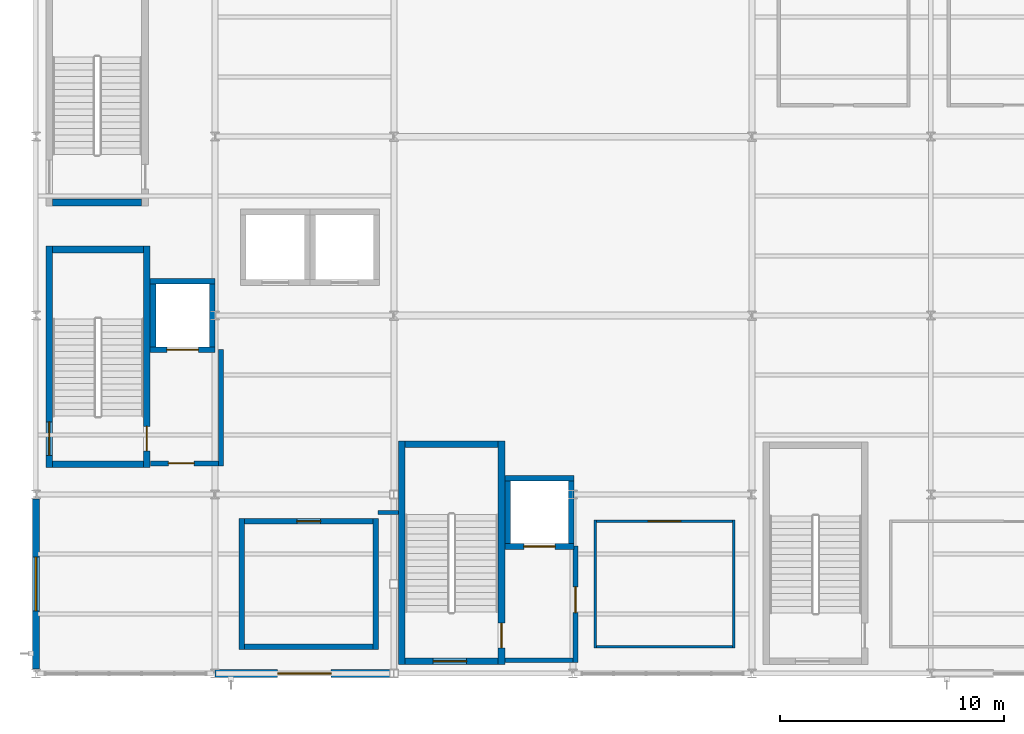
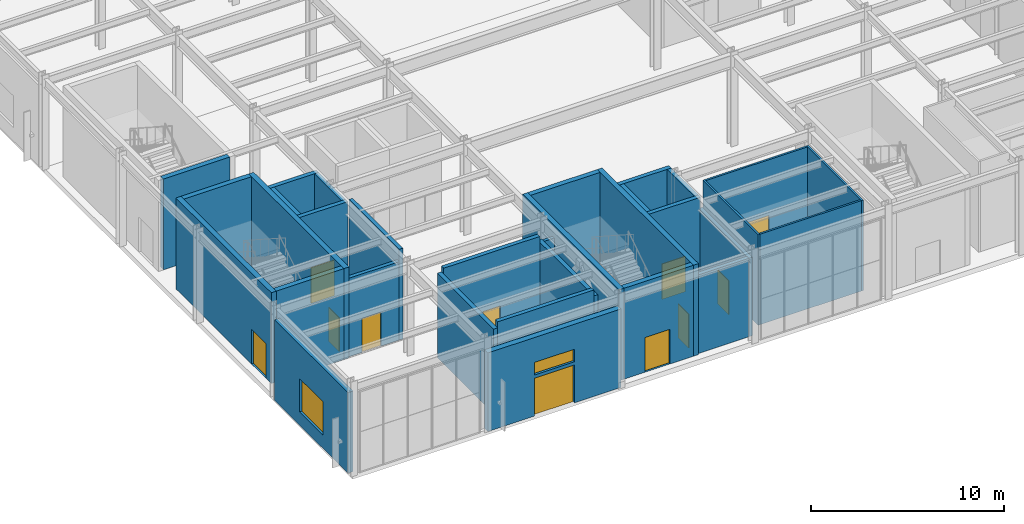
# One storey, part 58 of 82: 32 walls, 11 doors, 2 windows, 13 openings.
"""IFC4 building model written with IfcOpenShell, lengths in metres."""

from ifc_helpers import new_model, si_unit, direction, frame, frame_2d, origin, place, context, subcontext, project, spatial, rectangle, extrude, material, layer, layer_set, type_object, element, fill, save


model = new_model("IFC4")

# Units and contexts
model_context = context("Model", 3, precision=1e-05, world=origin(), true_north=direction((0.0, 1.0)))
body_context = subcontext(model_context, "Body", "Model", "MODEL_VIEW")
ifc_project = project(units=[si_unit("LENGTHUNIT", "METRE"), si_unit("AREAUNIT", "SQUARE_METRE"), si_unit("VOLUMEUNIT", "CUBIC_METRE"), si_unit("PLANEANGLEUNIT", "RADIAN"), si_unit("MASSUNIT", "GRAM", prefix="KILO")], contexts=[model_context])

# Site, building, storey
site_placement = place(None, origin())
site = spatial("IfcSite", under=ifc_project, at=site_placement, CompositionType="ELEMENT")
building_placement = place(site_placement, origin())
building = spatial("IfcBuilding", under=site, at=building_placement, Name="Drelvath Fold Interchange", CompositionType="ELEMENT")
storey_placement = place(building_placement, origin())
storey = spatial("IfcBuildingStorey", under=building, at=storey_placement, Name="L00", CompositionType="ELEMENT", Elevation=0.0)

# Wall
ifc_material_1 = material(Name="Concrete f'c 45 MPa (6500 psi)", Category="concrete")
ifc_layer_1 = layer(ifc_material_1, 0.300048828125, Name="Concrete f'c 45 MPa (6500 psi)")
ifc_layer_set_1 = layer_set([ifc_layer_1], Name="Concrete f'c 45 MPa (6500 psi)")
wall_type_1 = type_object("IfcWallType", Name="WL-CR300", PredefinedType="SHEAR", material=ifc_layer_set_1)
wall_1_placement = place(storey_placement, frame((4.75, 12.35009765625, 0.0), z_axis=(0.0, 0.0, 1.0), x_axis=(1.0, 0.0, 0.0)))
element("IfcWall", 1, at=wall_1_placement, inside=storey, type_object=wall_type_1, Name="ST-01 L00 south core wall", PredefinedType="SHEAR", context=body_context, shape_type="SweptSolid", body=[
    extrude(rectangle(XDim=4.06005859375, YDim=0.300048828125, at=frame_2d((2.030029296875, 0.0))), origin(), (0.0, 0.0, 1.0), 5.7548828125),
])

# Wall, opening, door
wall_2_placement = place(storey_placement, frame((8.9599609375, 12.199951171875, 0.0), z_axis=(0.0, 0.0, 1.0), x_axis=(0.0, 1.0, 0.0)))
wall_2 = element("IfcWall", 2, at=wall_2_placement, inside=storey, type_object=wall_type_1, Name="ST-01 L00 east core wall", PredefinedType="SHEAR", context=body_context, shape_type="SweptSolid", body=[
    extrude(rectangle(XDim=9.900146484375, YDim=0.300048828125, at=frame_2d((4.9501953125, 0.0))), origin(), (0.0, 0.0, 1.0), 5.7548828125),
])
opening_1_placement = place(wall_2_placement, frame((0.75, 0.0, 0.0)))
opening_1 = element("IfcOpeningElement", 3, at=opening_1_placement, cuts=wall_2, Name="Opening D-L00-003", PredefinedType="OPENING", context=body_context, shape_type="SweptSolid", body=[
    extrude(rectangle(XDim=1.10009765625, YDim=2.14990234375, at=frame_2d((0.550048828125, 1.074951171875))), frame((0.0, 0.159912109375, 0.0), z_axis=(0.0, -1.0, 0.0), x_axis=(1.0, 0.0, 0.0)), (0.0, 0.0, 1.0), 0.320068359375),
])
ifc_material_2 = material(Name="Insulated Hollow Metal Door Assembly")
door_type_1 = type_object("IfcDoorType", Name="DR-ST1100", OperationType="NOTDEFINED", PredefinedType="DOOR", material=ifc_material_2)
door_1_placement = place(opening_1_placement, origin())
door_1 = element("IfcDoor", 4, at=door_1_placement, inside=storey, type_object=door_type_1, Name="ST-01 L00 stair fire door D-L00-003", OperationType="SINGLE_SWING_LEFT", OverallHeight=2.14990234375, OverallWidth=1.10009765625, PredefinedType="DOOR", context=body_context, shape_type="SweptSolid", body=[
    extrude(rectangle(XDim=1.10009765625, YDim=2.14990234375, at=frame_2d((0.550048828125, 1.074951171875))), frame((0.0, 0.02490234375, 0.0), z_axis=(0.0, -1.0, 0.0), x_axis=(1.0, 0.0, 0.0)), (0.0, 0.0, 1.0), 0.050048828125),
])
fill(opening_1, door_1)

# Wall
wall_3_placement = place(storey_placement, frame((8.81005859375, 21.949951171875, 0.0), z_axis=(0.0, 0.0, 1.0), x_axis=(-1.0, 0.0, 0.0)))
element("IfcWall", 5, at=wall_3_placement, inside=storey, type_object=wall_type_1, Name="ST-01 L00 north core wall", PredefinedType="SHEAR", context=body_context, shape_type="SweptSolid", body=[
    extrude(rectangle(XDim=4.06005859375, YDim=0.300048828125, at=frame_2d((2.030029296875, 0.0))), origin(), (0.0, 0.0, 1.0), 5.7548828125),
])

# Wall, opening, door
wall_4_placement = place(storey_placement, frame((4.60009765625, 22.10009765625, 0.0), z_axis=(0.0, 0.0, 1.0), x_axis=(0.0, -1.0, 0.0)))
wall_4 = element("IfcWall", 6, at=wall_4_placement, inside=storey, type_object=wall_type_1, Name="ST-01 L00 west core wall", PredefinedType="SHEAR", context=body_context, shape_type="SweptSolid", body=[
    extrude(rectangle(XDim=9.900146484375, YDim=0.300048828125, at=frame_2d((4.9501953125, 0.0))), origin(), (0.0, 0.0, 1.0), 5.7548828125),
])
opening_2_placement = place(wall_4_placement, frame((7.85009765625, 0.0, 0.0)))
opening_2 = element("IfcOpeningElement", 7, at=opening_2_placement, cuts=wall_4, Name="Opening E-01", PredefinedType="OPENING", context=body_context, shape_type="SweptSolid", body=[
    extrude(rectangle(XDim=1.5, YDim=2.199951171875, at=frame_2d((0.75, 1.10009765625))), frame((0.0, 0.159912109375, 0.0), z_axis=(0.0, -1.0, 0.0), x_axis=(1.0, 0.0, 0.0)), (0.0, 0.0, 1.0), 0.320068359375),
])
door_type_2 = type_object("IfcDoorType", Name="DR-EX1500", OperationType="DOUBLE_DOOR_SINGLE_SWING", PredefinedType="DOOR", material=ifc_material_2)
door_2_placement = place(opening_2_placement, frame((1.5, 0.0, 0.0), z_axis=(0.0, 0.0, 1.0), x_axis=(-1.0, 0.0, 0.0)))
door_2 = element("IfcDoor", 8, at=door_2_placement, inside=storey, type_object=door_type_2, Name="Final exit discharge door E-01", OperationType="DOUBLE_DOOR_SINGLE_SWING", OverallHeight=2.199951171875, OverallWidth=1.5, PredefinedType="DOOR", context=body_context, shape_type="SweptSolid", body=[
    extrude(rectangle(XDim=1.5, YDim=2.199951171875, at=frame_2d((0.75, 1.10009765625))), frame((0.0, 0.02490234375, 0.0), z_axis=(0.0, -1.0, 0.0), x_axis=(1.0, 0.0, 0.0)), (0.0, 0.0, 1.0), 0.050048828125),
])
fill(opening_2, door_2)

# Wall
wall_5_placement = place(storey_placement, frame((4.75, 24.050048828125, 0.0), z_axis=(0.0, 0.0, 1.0), x_axis=(1.0, 0.0, 0.0)))
element("IfcWall", 9, at=wall_5_placement, inside=storey, type_object=wall_type_1, Name="ST-02 L00 south core wall", PredefinedType="SHEAR", context=body_context, shape_type="SweptSolid", body=[
    extrude(rectangle(XDim=3.97998046875, YDim=0.300048828125, at=frame_2d((1.989990234375, 0.0))), origin(), (0.0, 0.0, 1.0), 5.7548828125),
])

# Wall, opening, door
wall_6_placement = place(storey_placement, frame((20.5, 3.550048828125, 0.0), z_axis=(0.0, 0.0, 1.0), x_axis=(1.0, 0.0, 0.0)))
wall_6 = element("IfcWall", 10, at=wall_6_placement, inside=storey, type_object=wall_type_1, Name="ST-03 L00 south core wall", PredefinedType="SHEAR", context=body_context, shape_type="SweptSolid", body=[
    extrude(rectangle(XDim=4.159912109375, YDim=0.300048828125, at=frame_2d((2.080078125, 0.0))), origin(), (0.0, 0.0, 1.0), 5.7548828125),
])
opening_3_placement = place(wall_6_placement, frame((1.25, 0.0, 0.0)))
opening_3 = element("IfcOpeningElement", 11, at=opening_3_placement, cuts=wall_6, Name="Opening E-03", PredefinedType="OPENING", context=body_context, shape_type="SweptSolid", body=[
    extrude(rectangle(XDim=1.5, YDim=2.199951171875, at=frame_2d((0.75, 1.10009765625))), frame((0.0, 0.159912109375, 0.0), z_axis=(0.0, -1.0, 0.0), x_axis=(1.0, 0.0, 0.0)), (0.0, 0.0, 1.0), 0.320068359375),
])
door_3_placement = place(opening_3_placement, frame((1.5, 0.0, 0.0), z_axis=(0.0, 0.0, 1.0), x_axis=(-1.0, 0.0, 0.0)))
door_3 = element("IfcDoor", 12, at=door_3_placement, inside=storey, type_object=door_type_2, Name="Final exit discharge door E-03", OperationType="DOUBLE_DOOR_SINGLE_SWING", OverallHeight=2.199951171875, OverallWidth=1.5, PredefinedType="DOOR", context=body_context, shape_type="SweptSolid", body=[
    extrude(rectangle(XDim=1.5, YDim=2.199951171875, at=frame_2d((0.75, 1.10009765625))), frame((0.0, 0.02490234375, 0.0), z_axis=(0.0, -1.0, 0.0), x_axis=(1.0, 0.0, 0.0)), (0.0, 0.0, 1.0), 0.050048828125),
])
fill(opening_3, door_3)

wall_7_placement = place(storey_placement, frame((24.81005859375, 3.39990234375, 0.0), z_axis=(0.0, 0.0, 1.0), x_axis=(0.0, 1.0, 0.0)))
wall_7 = element("IfcWall", 13, at=wall_7_placement, inside=storey, type_object=wall_type_1, Name="ST-03 L00 east core wall", PredefinedType="SHEAR", context=body_context, shape_type="SweptSolid", body=[
    extrude(rectangle(XDim=10.0, YDim=0.300048828125, at=frame_2d((5.0, 0.0))), origin(), (0.0, 0.0, 1.0), 5.7548828125),
])
opening_4_placement = place(wall_7_placement, frame((0.75, 0.0, 0.0)))
opening_4 = element("IfcOpeningElement", 14, at=opening_4_placement, cuts=wall_7, Name="Opening D-L00-019", PredefinedType="OPENING", context=body_context, shape_type="SweptSolid", body=[
    extrude(rectangle(XDim=1.10009765625, YDim=2.14990234375, at=frame_2d((0.550048828125, 1.074951171875))), frame((0.0, 0.159912109375, 0.0), z_axis=(0.0, -1.0, 0.0), x_axis=(1.0, 0.0, 0.0)), (0.0, 0.0, 1.0), 0.320068359375),
])
door_4_placement = place(opening_4_placement, origin())
door_4 = element("IfcDoor", 15, at=door_4_placement, inside=storey, type_object=door_type_1, Name="ST-03 L00 stair fire door D-L00-019", OperationType="SINGLE_SWING_LEFT", OverallHeight=2.14990234375, OverallWidth=1.10009765625, PredefinedType="DOOR", context=body_context, shape_type="SweptSolid", body=[
    extrude(rectangle(XDim=1.10009765625, YDim=2.14990234375, at=frame_2d((0.550048828125, 1.074951171875))), frame((0.0, 0.02490234375, 0.0), z_axis=(0.0, -1.0, 0.0), x_axis=(1.0, 0.0, 0.0)), (0.0, 0.0, 1.0), 0.050048828125),
])
fill(opening_4, door_4)

# Walls
wall_8_placement = place(storey_placement, frame((24.659912109375, 13.25, 0.0), z_axis=(0.0, 0.0, 1.0), x_axis=(-1.0, 0.0, 0.0)))
element("IfcWall", 16, at=wall_8_placement, inside=storey, type_object=wall_type_1, Name="ST-03 L00 north core wall", PredefinedType="SHEAR", context=body_context, shape_type="SweptSolid", body=[
    extrude(rectangle(XDim=4.159912109375, YDim=0.300048828125, at=frame_2d((2.080078125, 0.0))), origin(), (0.0, 0.0, 1.0), 5.7548828125),
])
wall_9_placement = place(storey_placement, frame((20.35009765625, 13.39990234375, 0.0), z_axis=(0.0, 0.0, 1.0), x_axis=(0.0, -1.0, 0.0)))
element("IfcWall", 17, at=wall_9_placement, inside=storey, type_object=wall_type_1, Name="ST-03 L00 west core wall", PredefinedType="SHEAR", context=body_context, shape_type="SweptSolid", body=[
    extrude(rectangle(XDim=10.0, YDim=0.300048828125, at=frame_2d((5.0, 0.0))), origin(), (0.0, 0.0, 1.0), 5.7548828125),
])

# Wall, opening, window
ifc_material_3 = material(Name="Precast concrete f'c 40 MPa (6000 psi)", Category="concrete")
ifc_layer_2 = layer(ifc_material_3, 0.31494140625, Name="Precast concrete f'c 40 MPa (6000 psi)")
ifc_layer_set_2 = layer_set([ifc_layer_2], Name="Precast concrete f'c 40 MPa (6000 psi)")
wall_type_2 = type_object("IfcWallType", Name="WL-EXT315", PredefinedType="SOLIDWALL", material=ifc_layer_set_2)
wall_10_placement = place(storey_placement, frame((4.0, 3.19189453125, 0.0), z_axis=(0.0, 0.0, 1.0), x_axis=(0.0, 1.0, 0.0)))
wall_10 = element("IfcWall", 18, at=wall_10_placement, inside=storey, type_object=wall_type_2, Name="L00 exterior facade wall 48", PredefinedType="SOLIDWALL", context=body_context, shape_type="SweptSolid", body=[
    extrude(rectangle(XDim=7.614990234375, YDim=0.31494140625, at=frame_2d((3.8076171875, 0.0))), origin(), (0.0, 0.0, 1.0), 5.10009765625),
])
opening_5_placement = place(wall_10_placement, frame((2.60693359375, 0.0, 0.85009765625)))
opening_5 = element("IfcOpeningElement", 19, at=opening_5_placement, cuts=wall_10, Name="Opening W-L00-042", PredefinedType="OPENING", context=body_context, shape_type="SweptSolid", body=[
    extrude(rectangle(XDim=2.39990234375, YDim=2.10009765625, at=frame_2d((1.199951171875, 1.050048828125))), frame((0.0, 0.16748046875, 0.0), z_axis=(0.0, -1.0, 0.0), x_axis=(1.0, 0.0, 0.0)), (0.0, 0.0, 1.0), 0.3349609375),
])
ifc_material_4 = material(Name="Low-Iron Insulated Laminated Glass", Category="glass")
window_type_1 = type_object("IfcWindowType", Name="WN-240x210", PartitioningType="TRIPLE_PANEL_HORIZONTAL", PredefinedType="WINDOW", material=ifc_material_4)
window_1_placement = place(opening_5_placement, origin())
window_1 = element("IfcWindow", 20, at=window_1_placement, inside=storey, type_object=window_type_1, Name="Facade window W-L00-042", OverallHeight=2.10009765625, OverallWidth=2.39990234375, PartitioningType="SINGLE_PANEL", PredefinedType="WINDOW", context=body_context, shape_type="SweptSolid", body=[
    extrude(rectangle(XDim=2.39990234375, YDim=2.10009765625, at=frame_2d((1.199951171875, 1.050048828125))), frame((0.0, 0.030029296875, 0.0), z_axis=(0.0, -1.0, 0.0), x_axis=(1.0, 0.0, 0.0)), (0.0, 0.0, 1.0), 0.06005859375),
])
fill(opening_5, window_1)

# Wall, openings, door, window
ifc_layer_3 = layer(ifc_material_3, 0.340087890625, Name="Precast concrete f'c 40 MPa (6000 psi)")
ifc_layer_set_3 = layer_set([ifc_layer_3], Name="Precast concrete f'c 40 MPa (6000 psi)")
wall_type_3 = type_object("IfcWallType", Name="WL-EXT340", PredefinedType="SOLIDWALL", material=ifc_layer_set_3)
wall_11_placement = place(storey_placement, frame((12.012939453125, 3.0, 0.0), z_axis=(0.0, 0.0, 1.0), x_axis=(1.0, 0.0, 0.0)))
wall_11 = element("IfcWall", 21, at=wall_11_placement, inside=storey, type_object=wall_type_3, Name="L00 exterior facade wall 52", PredefinedType="SOLIDWALL", context=body_context, shape_type="SweptSolid", body=[
    extrude(rectangle(XDim=7.97412109375, YDim=0.340087890625, at=frame_2d((3.987060546875, 0.0))), origin(), (0.0, 0.0, 1.0), 4.97607421875),
])
opening_6_placement = place(wall_11_placement, frame((2.787109375, 0.0, 0.0)))
opening_6 = element("IfcOpeningElement", 22, at=opening_6_placement, cuts=wall_11, Name="Opening E-22", PredefinedType="OPENING", context=body_context, shape_type="SweptSolid", body=[
    extrude(rectangle(XDim=2.39990234375, YDim=2.39990234375, at=frame_2d((1.199951171875, 1.199951171875))), frame((0.0, 0.179931640625, 0.0), z_axis=(0.0, -1.0, 0.0), x_axis=(1.0, 0.0, 0.0)), (0.0, 0.0, 1.0), 0.360107421875),
])
opening_7_placement = place(wall_11_placement, frame((2.787109375, 0.0, 2.60009765625)))
opening_7 = element("IfcOpeningElement", 23, at=opening_7_placement, cuts=wall_11, Name="Opening W-L00-046", PredefinedType="OPENING", context=body_context, shape_type="SweptSolid", body=[
    extrude(rectangle(XDim=2.39990234375, YDim=0.800048828125, at=frame_2d((1.199951171875, 0.39990234375))), frame((0.0, 0.179931640625, 0.0), z_axis=(0.0, -1.0, 0.0), x_axis=(1.0, 0.0, 0.0)), (0.0, 0.0, 1.0), 0.360107421875),
])
ifc_material_5 = material(Name="Anodized Aluminium Glazed Door Assembly", Category="aluminium")
door_type_3 = type_object("IfcDoorType", Name="DR-EN2400", OperationType="DOUBLE_DOOR_SINGLE_SWING", PredefinedType="DOOR", material=ifc_material_5)
door_5_placement = place(opening_6_placement, frame((2.39990234375, 0.0, 0.0), z_axis=(0.0, 0.0, 1.0), x_axis=(-1.0, 0.0, 0.0)))
door_5 = element("IfcDoor", 24, at=door_5_placement, inside=storey, type_object=door_type_3, Name="Grade pedestrian entrance and final exit door E-22", OperationType="DOUBLE_DOOR_SINGLE_SWING", OverallHeight=2.39990234375, OverallWidth=2.39990234375, PredefinedType="DOOR", context=body_context, shape_type="SweptSolid", body=[
    extrude(rectangle(XDim=2.39990234375, YDim=2.39990234375, at=frame_2d((1.199951171875, 1.199951171875))), frame((0.0, 0.02490234375, 0.0), z_axis=(0.0, -1.0, 0.0), x_axis=(1.0, 0.0, 0.0)), (0.0, 0.0, 1.0), 0.050048828125),
])
fill(opening_6, door_5)
window_type_2 = type_object("IfcWindowType", Name="WN-TR240x80", PartitioningType="SINGLE_PANEL", PredefinedType="LIGHTDOME", material=ifc_material_4)
window_2_placement = place(opening_7_placement, origin())
window_2 = element("IfcWindow", 25, at=window_2_placement, inside=storey, type_object=window_type_2, Name="Entrance transom window W-L00-046", OverallHeight=0.800048828125, OverallWidth=2.39990234375, PartitioningType="SINGLE_PANEL", PredefinedType="LIGHTDOME", context=body_context, shape_type="SweptSolid", body=[
    extrude(rectangle(XDim=2.39990234375, YDim=0.800048828125, at=frame_2d((1.199951171875, 0.39990234375))), frame((0.0, 0.030029296875, 0.0), z_axis=(0.0, -1.0, 0.0), x_axis=(1.0, 0.0, 0.0)), (0.0, 0.0, 1.0), 0.06005859375),
])
fill(opening_7, window_2)

# Wall, opening, door
ifc_layer_4 = layer(ifc_material_1, 0.219970703125, Name="Concrete f'c 45 MPa (6500 psi)")
ifc_layer_set_4 = layer_set([ifc_layer_4], Name="Concrete f'c 45 MPa (6500 psi)")
wall_type_4 = type_object("IfcWallType", Name="WL-FF220", PredefinedType="SOLIDWALL", material=ifc_layer_set_4)
wall_12_placement = place(storey_placement, frame((9.1201171875, 12.389892578125, 0.0), z_axis=(0.0, 0.0, 1.0), x_axis=(1.0, 0.0, 0.0)))
wall_12 = element("IfcWall", 26, at=wall_12_placement, inside=storey, type_object=wall_type_4, Name="Firefighting Lift Lobby FF-1 L00 south rated wall", PredefinedType="SOLIDWALL", context=body_context, shape_type="SweptSolid", body=[
    extrude(rectangle(XDim=3.039794921875, YDim=0.219970703125, at=frame_2d((1.52001953125, 0.0))), origin(), (0.0, 0.0, 1.0), 4.97607421875),
])
opening_8_placement = place(wall_12_placement, frame((0.804931640625, 0.0, 0.0)))
opening_8 = element("IfcOpeningElement", 27, at=opening_8_placement, cuts=wall_12, Name="Opening D-L00-050", PredefinedType="OPENING", context=body_context, shape_type="SweptSolid", body=[
    extrude(rectangle(XDim=1.14990234375, YDim=2.14990234375, at=frame_2d((0.574951171875, 1.074951171875))), frame((0.0, 0.119873046875, 0.0), z_axis=(0.0, -1.0, 0.0), x_axis=(1.0, 0.0, 0.0)), (0.0, 0.0, 1.0), 0.239990234375),
])
door_type_4 = type_object("IfcDoorType", Name="DR-FF1150", OperationType="NOTDEFINED", PredefinedType="DOOR", material=ifc_material_2)
door_6_placement = place(opening_8_placement, frame((1.14990234375, 0.0, 0.0), z_axis=(0.0, 0.0, 1.0), x_axis=(-1.0, 0.0, 0.0)))
door_6 = element("IfcDoor", 28, at=door_6_placement, inside=storey, type_object=door_type_4, Name="Firefighting Lift Lobby FF-1 L00 corridor fire door D-L00-050", OperationType="SINGLE_SWING_RIGHT", OverallHeight=2.14990234375, OverallWidth=1.14990234375, PredefinedType="DOOR", context=body_context, shape_type="SweptSolid", body=[
    extrude(rectangle(XDim=1.14990234375, YDim=2.14990234375, at=frame_2d((0.574951171875, 1.074951171875))), frame((0.0, 0.02490234375, 0.0), z_axis=(0.0, -1.0, 0.0), x_axis=(1.0, 0.0, 0.0)), (0.0, 0.0, 1.0), 0.050048828125),
])
fill(opening_8, door_6)

# Walls
wall_13_placement = place(storey_placement, frame((12.27001953125, 12.280029296875, 0.0), z_axis=(0.0, 0.0, 1.0), x_axis=(0.0, 1.0, 0.0)))
element("IfcWall", 29, at=wall_13_placement, inside=storey, type_object=wall_type_4, Name="Firefighting Lift Lobby FF-1 L00 east rated wall", PredefinedType="SOLIDWALL", context=body_context, shape_type="SweptSolid", body=[
    extrude(rectangle(XDim=5.2099609375, YDim=0.219970703125, at=frame_2d((2.60498046875, 0.0))), origin(), (0.0, 0.0, 1.0), 5.7548828125),
])
wall_14_placement = place(storey_placement, frame((24.969970703125, 3.590087890625, 0.0), z_axis=(0.0, 0.0, 1.0), x_axis=(1.0, 0.0, 0.0)))
element("IfcWall", 30, at=wall_14_placement, inside=storey, type_object=wall_type_4, Name="Firefighting Lift Lobby FF-2 L00 south rated wall", PredefinedType="SOLIDWALL", context=body_context, shape_type="SweptSolid", body=[
    extrude(rectangle(XDim=3.0400390625, YDim=0.219970703125, at=frame_2d((1.52001953125, 0.0))), origin(), (0.0, 0.0, 1.0), 4.97607421875),
])

# Wall, opening, door
wall_15_placement = place(storey_placement, frame((28.1201171875, 3.47998046875, 0.0), z_axis=(0.0, 0.0, 1.0), x_axis=(0.0, 1.0, 0.0)))
wall_15 = element("IfcWall", 31, at=wall_15_placement, inside=storey, type_object=wall_type_4, Name="Firefighting Lift Lobby FF-2 L00 east rated wall", PredefinedType="SOLIDWALL", context=body_context, shape_type="SweptSolid", body=[
    extrude(rectangle(XDim=5.2099609375, YDim=0.219970703125, at=frame_2d((2.60498046875, 0.0))), origin(), (0.0, 0.0, 1.0), 4.97607421875),
])
opening_9_placement = place(wall_15_placement, frame((2.2451171875, 0.0, 0.0)))
opening_9 = element("IfcOpeningElement", 32, at=opening_9_placement, cuts=wall_15, Name="Opening D-L00-058", PredefinedType="OPENING", context=body_context, shape_type="SweptSolid", body=[
    extrude(rectangle(XDim=1.14990234375, YDim=2.14990234375, at=frame_2d((0.574951171875, 1.074951171875))), frame((0.0, 0.119873046875, 0.0), z_axis=(0.0, -1.0, 0.0), x_axis=(1.0, 0.0, 0.0)), (0.0, 0.0, 1.0), 0.239990234375),
])
door_7_placement = place(opening_9_placement, origin())
door_7 = element("IfcDoor", 33, at=door_7_placement, inside=storey, type_object=door_type_4, Name="Firefighting Lift Lobby FF-2 L00 corridor fire door D-L00-058", OperationType="SINGLE_SWING_RIGHT", OverallHeight=2.14990234375, OverallWidth=1.14990234375, PredefinedType="DOOR", context=body_context, shape_type="SweptSolid", body=[
    extrude(rectangle(XDim=1.14990234375, YDim=2.14990234375, at=frame_2d((0.574951171875, 1.074951171875))), frame((0.0, 0.02490234375, 0.0), z_axis=(0.0, -1.0, 0.0), x_axis=(1.0, 0.0, 0.0)), (0.0, 0.0, 1.0), 0.050048828125),
])
fill(opening_9, door_7)

# Walls
ifc_material_6 = material(Name="Fire-Rated Gypsum Board Assembly")
ifc_layer_5 = layer(ifc_material_6, 0.179931640625, Name="Fire-Rated Gypsum Board Assembly")
ifc_layer_set_5 = layer_set([ifc_layer_5], Name="Fire-Rated Gypsum Board Assembly")
wall_type_5 = type_object("IfcWallType", Name="WL-FR180", PredefinedType="PARTITIONING", material=ifc_layer_set_5)
wall_16_placement = place(storey_placement, frame((19.2900390625, 10.199951171875, 0.0), z_axis=(0.0, 0.0, 1.0), x_axis=(1.0, 0.0, 0.0)))
element("IfcWall", 34, at=wall_16_placement, inside=storey, type_object=wall_type_5, Name="L00 braced frame shaft closure partition", PredefinedType="PARTITIONING", context=body_context, shape_type="SweptSolid", body=[
    extrude(rectangle(XDim=0.909912109375, YDim=0.179931640625, at=frame_2d((0.455078125, 0.0))), origin(), (0.0, 0.0, 1.0), 4.97607421875),
])
ifc_material_7 = material(Name="Concrete f'c 35 MPa (5000 psi)", Category="concrete")
ifc_layer_6 = layer(ifc_material_7, 0.2451171875, Name="Concrete f'c 35 MPa (5000 psi)")
ifc_layer_set_6 = layer_set([ifc_layer_6], Name="Concrete f'c 35 MPa (5000 psi)")
wall_type_6 = type_object("IfcWallType", Name="WL-FR245", PredefinedType="SOLIDWALL", material=ifc_layer_set_6)
wall_17_placement = place(storey_placement, frame((13.322021484375, 4.199951171875, 0.0), z_axis=(0.0, 0.0, 1.0), x_axis=(1.0, 0.0, 0.0)))
element("IfcWall", 35, at=wall_17_placement, inside=storey, type_object=wall_type_6, Name="Fire Command Center S partition", PredefinedType="SOLIDWALL", context=body_context, shape_type="SweptSolid", body=[
    extrude(rectangle(XDim=5.755859375, YDim=0.2451171875, at=frame_2d((2.8779296875, 0.0))), origin(), (0.0, 0.0, 1.0), 5.72998046875),
])
wall_18_placement = place(storey_placement, frame((19.199951171875, 4.077880859375, 0.0), z_axis=(0.0, 0.0, 1.0), x_axis=(0.0, 1.0, 0.0)))
element("IfcWall", 36, at=wall_18_placement, inside=storey, type_object=wall_type_6, Name="Fire Command Center E partition", PredefinedType="SOLIDWALL", context=body_context, shape_type="SweptSolid", body=[
    extrude(rectangle(XDim=5.84521484375, YDim=0.2451171875, at=frame_2d((2.922607421875, 0.0))), origin(), (0.0, 0.0, 1.0), 5.35107421875),
])

# Wall, opening, door
wall_19_placement = place(storey_placement, frame((19.077880859375, 9.800048828125, 0.0), z_axis=(0.0, 0.0, 1.0), x_axis=(-1.0, 0.0, 0.0)))
wall_19 = element("IfcWall", 37, at=wall_19_placement, inside=storey, type_object=wall_type_6, Name="Fire Command Center N partition", PredefinedType="SOLIDWALL", context=body_context, shape_type="SweptSolid", body=[
    extrude(rectangle(XDim=5.755859375, YDim=0.2451171875, at=frame_2d((2.8779296875, 0.0))), origin(), (0.0, 0.0, 1.0), 5.72998046875),
])
opening_10_placement = place(wall_19_placement, frame((2.347900390625, 0.0, 0.0)))
opening_10 = element("IfcOpeningElement", 38, at=opening_10_placement, cuts=wall_19, Name="Opening D-L00-091", PredefinedType="OPENING", context=body_context, shape_type="SweptSolid", body=[
    extrude(rectangle(XDim=1.06005859375, YDim=2.159912109375, at=frame_2d((0.530029296875, 1.080078125))), frame((0.0, 0.132568359375, 0.0), z_axis=(0.0, -1.0, 0.0), x_axis=(1.0, 0.0, 0.0)), (0.0, 0.0, 1.0), 0.26513671875),
])
door_type_5 = type_object("IfcDoorType", Name="DR-FD106", OperationType="NOTDEFINED", PredefinedType="DOOR", material=ifc_material_2)
door_8_placement = place(opening_10_placement, origin())
door_8 = element("IfcDoor", 39, at=door_8_placement, inside=storey, type_object=door_type_5, Name="Fire Command Center door D-L00-091", OperationType="SINGLE_SWING_RIGHT", OverallHeight=2.159912109375, OverallWidth=1.06005859375, PredefinedType="DOOR", context=body_context, shape_type="SweptSolid", body=[
    extrude(rectangle(XDim=1.06005859375, YDim=2.159912109375, at=frame_2d((0.530029296875, 1.080078125))), frame((0.0, 0.02490234375, 0.0), z_axis=(0.0, -1.0, 0.0), x_axis=(1.0, 0.0, 0.0)), (0.0, 0.0, 1.0), 0.050048828125),
])
fill(opening_10, door_8)

# Walls
wall_20_placement = place(storey_placement, frame((13.199951171875, 9.923095703125, 0.0), z_axis=(0.0, 0.0, 1.0), x_axis=(0.0, -1.0, 0.0)))
element("IfcWall", 40, at=wall_20_placement, inside=storey, type_object=wall_type_6, Name="Fire Command Center W partition", PredefinedType="SOLIDWALL", context=body_context, shape_type="SweptSolid", body=[
    extrude(rectangle(XDim=5.84521484375, YDim=0.2451171875, at=frame_2d((2.922607421875, 0.0))), origin(), (0.0, 0.0, 1.0), 5.35107421875),
])
ifc_material_8 = material(Name="Acoustic Gypsum Board Partition Assembly")
ifc_layer_7 = layer(ifc_material_8, 0.114990234375, Name="Acoustic Gypsum Board Partition Assembly")
ifc_layer_set_7 = layer_set([ifc_layer_7], Name="Acoustic Gypsum Board Partition Assembly")
wall_type_7 = type_object("IfcWallType", Name="WL-PT115", PredefinedType="PARTITIONING", material=ifc_layer_set_7)
wall_21_placement = place(storey_placement, frame((29.05810546875, 4.199951171875, 0.0), z_axis=(0.0, 0.0, 1.0), x_axis=(1.0, 0.0, 0.0)))
element("IfcWall", 41, at=wall_21_placement, inside=storey, type_object=wall_type_7, Name="Passenger Information and Mobility Desk S partition", PredefinedType="PARTITIONING", context=body_context, shape_type="SweptSolid", body=[
    extrude(rectangle(XDim=6.0849609375, YDim=0.114990234375, at=frame_2d((3.04248046875, 0.0))), origin(), (0.0, 0.0, 1.0), 5.72998046875),
])
wall_22_placement = place(storey_placement, frame((35.199951171875, 4.14306640625, 0.0), z_axis=(0.0, 0.0, 1.0), x_axis=(0.0, 1.0, 0.0)))
element("IfcWall", 42, at=wall_22_placement, inside=storey, type_object=wall_type_7, Name="Passenger Information and Mobility Desk E partition", PredefinedType="PARTITIONING", context=body_context, shape_type="SweptSolid", body=[
    extrude(rectangle(XDim=5.7138671875, YDim=0.114990234375, at=frame_2d((2.85693359375, 0.0))), origin(), (0.0, 0.0, 1.0), 5.72998046875),
])

# Wall, opening, door
wall_23_placement = place(storey_placement, frame((35.14306640625, 9.800048828125, 0.0), z_axis=(0.0, 0.0, 1.0), x_axis=(-1.0, 0.0, 0.0)))
wall_23 = element("IfcWall", 43, at=wall_23_placement, inside=storey, type_object=wall_type_7, Name="Passenger Information and Mobility Desk N partition", PredefinedType="PARTITIONING", context=body_context, shape_type="SweptSolid", body=[
    extrude(rectangle(XDim=6.0849609375, YDim=0.114990234375, at=frame_2d((3.04248046875, 0.0))), origin(), (0.0, 0.0, 1.0), 5.72998046875),
])
opening_11_placement = place(wall_23_placement, frame((2.31298828125, 0.0, 0.0)))
opening_11 = element("IfcOpeningElement", 44, at=opening_11_placement, cuts=wall_23, Name="Opening D-L00-092", PredefinedType="OPENING", context=body_context, shape_type="SweptSolid", body=[
    extrude(rectangle(XDim=1.4599609375, YDim=2.199951171875, at=frame_2d((0.72998046875, 1.10009765625))), frame((0.0, 0.0673828125, 0.0), z_axis=(0.0, -1.0, 0.0), x_axis=(1.0, 0.0, 0.0)), (0.0, 0.0, 1.0), 0.135009765625),
])
door_type_6 = type_object("IfcDoorType", Name="DR-NR146", OperationType="DOUBLE_DOOR_SINGLE_SWING", PredefinedType="DOOR", material=ifc_material_5)
door_9_placement = place(opening_11_placement, origin())
door_9 = element("IfcDoor", 45, at=door_9_placement, inside=storey, type_object=door_type_6, Name="Passenger Information and Mobility Desk door D-L00-092", OperationType="DOUBLE_DOOR_SINGLE_SWING", OverallHeight=2.199951171875, OverallWidth=1.4599609375, PredefinedType="DOOR", context=body_context, shape_type="SweptSolid", body=[
    extrude(rectangle(XDim=1.4599609375, YDim=2.199951171875, at=frame_2d((0.72998046875, 1.10009765625))), frame((0.0, 0.02490234375, 0.0), z_axis=(0.0, -1.0, 0.0), x_axis=(1.0, 0.0, 0.0)), (0.0, 0.0, 1.0), 0.050048828125),
])
fill(opening_11, door_9)

# Wall
wall_24_placement = place(storey_placement, frame((29.0, 9.85693359375, 0.0), z_axis=(0.0, 0.0, 1.0), x_axis=(0.0, -1.0, 0.0)))
element("IfcWall", 46, at=wall_24_placement, inside=storey, type_object=wall_type_7, Name="Passenger Information and Mobility Desk W partition", PredefinedType="PARTITIONING", context=body_context, shape_type="SweptSolid", body=[
    extrude(rectangle(XDim=5.7138671875, YDim=0.114990234375, at=frame_2d((2.85693359375, 0.0))), origin(), (0.0, 0.0, 1.0), 5.72998046875),
])

# Wall, opening, door
ifc_layer_8 = layer(ifc_material_1, 0.25, Name="Concrete f'c 45 MPa (6500 psi)")
ifc_layer_set_8 = layer_set([ifc_layer_8], Name="Concrete f'c 45 MPa (6500 psi)")
wall_type_8 = type_object("IfcWallType", Name="WL-SH250", PredefinedType="SOLIDWALL", material=ifc_layer_set_8)
wall_25_placement = place(storey_placement, frame((9.110107421875, 17.47509765625, 0.0), z_axis=(0.0, 0.0, 1.0), x_axis=(1.0, 0.0, 0.0)))
wall_25 = element("IfcWall", 47, at=wall_25_placement, inside=storey, type_object=wall_type_8, Name="LF-FF1 L00 south shaft wall", PredefinedType="SOLIDWALL", context=body_context, shape_type="SweptSolid", body=[
    extrude(rectangle(XDim=2.89990234375, YDim=0.25, at=frame_2d((1.449951171875, 0.0))), origin(), (0.0, 0.0, 1.0), 5.7548828125),
])
opening_12_placement = place(wall_25_placement, frame((0.75, 0.0, 0.0)))
opening_12 = element("IfcOpeningElement", 48, at=opening_12_placement, cuts=wall_25, Name="Opening LD-LF-FF1-L00", PredefinedType="OPENING", context=body_context, shape_type="SweptSolid", body=[
    extrude(rectangle(XDim=1.39990234375, YDim=2.25, at=frame_2d((0.699951171875, 1.125))), frame((0.0, 0.135009765625, 0.0), z_axis=(0.0, -1.0, 0.0), x_axis=(1.0, 0.0, 0.0)), (0.0, 0.0, 1.0), 0.27001953125),
])
door_type_7 = type_object("IfcDoorType", Name="DR-LD1400", OperationType="DOUBLE_DOOR_SLIDING", PredefinedType="DOOR", material=ifc_material_2)
door_10_placement = place(opening_12_placement, frame((1.39990234375, 0.0, 0.0), z_axis=(0.0, 0.0, 1.0), x_axis=(-1.0, 0.0, 0.0)))
door_10 = element("IfcDoor", 49, at=door_10_placement, inside=storey, type_object=door_type_7, Name="LF-FF1 L00 lift landing sliding door LD-LF-FF1-L00", OperationType="DOUBLE_DOOR_SLIDING", OverallHeight=2.25, OverallWidth=1.39990234375, PredefinedType="DOOR", context=body_context, shape_type="SweptSolid", body=[
    extrude(rectangle(XDim=1.39990234375, YDim=2.25, at=frame_2d((0.699951171875, 1.125))), frame((0.0, 0.02490234375, 0.0), z_axis=(0.0, -1.0, 0.0), x_axis=(1.0, 0.0, 0.0)), (0.0, 0.0, 1.0), 0.050048828125),
])
fill(opening_12, door_10)

# Walls
wall_26_placement = place(storey_placement, frame((12.010009765625, 20.52490234375, 0.0), z_axis=(0.0, 0.0, 1.0), x_axis=(-1.0, 0.0, 0.0)))
element("IfcWall", 50, at=wall_26_placement, inside=storey, type_object=wall_type_8, Name="LF-FF1 L00 north shaft wall", PredefinedType="SOLIDWALL", context=body_context, shape_type="SweptSolid", body=[
    extrude(rectangle(XDim=2.89990234375, YDim=0.25, at=frame_2d((1.449951171875, 0.0))), origin(), (0.0, 0.0, 1.0), 5.7548828125),
])
for number, where, z_axis, x_axis, name in (
    (51, (11.885009765625, 17.60009765625, 0.0), (0.0, 0.0, 1.0), (0.0, 1.0, 0.0), "LF-FF1 L00 east shaft wall"),
    (52, (9.235107421875, 20.39990234375, 0.0), (0.0, 0.0, 1.0), (0.0, -1.0, 0.0), "LF-FF1 L00 west shaft wall"),
):
    element("IfcWall", number, at=place(storey_placement, frame(where, z_axis=z_axis, x_axis=x_axis)), inside=storey, type_object=wall_type_8, Name=name, PredefinedType="SOLIDWALL", context=body_context, shape_type="SweptSolid", body=[
        extrude(rectangle(XDim=2.7998046875, YDim=0.25, at=frame_2d((1.39990234375, 0.0))), origin(), (0.0, 0.0, 1.0), 5.7548828125),
    ])

# Wall, opening, door
wall_27_placement = place(storey_placement, frame((24.9599609375, 8.675048828125, 0.0), z_axis=(0.0, 0.0, 1.0), x_axis=(1.0, 0.0, 0.0)))
wall_27 = element("IfcWall", 53, at=wall_27_placement, inside=storey, type_object=wall_type_8, Name="LF-FF2 L00 south shaft wall", PredefinedType="SOLIDWALL", context=body_context, shape_type="SweptSolid", body=[
    extrude(rectangle(XDim=3.10009765625, YDim=0.25, at=frame_2d((1.550048828125, 0.0))), origin(), (0.0, 0.0, 1.0), 5.7548828125),
])
opening_13_placement = place(wall_27_placement, frame((0.85009765625, 0.0, 0.0)))
opening_13 = element("IfcOpeningElement", 54, at=opening_13_placement, cuts=wall_27, Name="Opening LD-LF-FF2-L00", PredefinedType="OPENING", context=body_context, shape_type="SweptSolid", body=[
    extrude(rectangle(XDim=1.39990234375, YDim=2.25, at=frame_2d((0.699951171875, 1.125))), frame((0.0, 0.135009765625, 0.0), z_axis=(0.0, -1.0, 0.0), x_axis=(1.0, 0.0, 0.0)), (0.0, 0.0, 1.0), 0.27001953125),
])
door_11_placement = place(opening_13_placement, frame((1.39990234375, 0.0, 0.0), z_axis=(0.0, 0.0, 1.0), x_axis=(-1.0, 0.0, 0.0)))
door_11 = element("IfcDoor", 55, at=door_11_placement, inside=storey, type_object=door_type_7, Name="LF-FF2 L00 lift landing sliding door LD-LF-FF2-L00", OperationType="DOUBLE_DOOR_SLIDING", OverallHeight=2.25, OverallWidth=1.39990234375, PredefinedType="DOOR", context=body_context, shape_type="SweptSolid", body=[
    extrude(rectangle(XDim=1.39990234375, YDim=2.25, at=frame_2d((0.699951171875, 1.125))), frame((0.0, 0.02490234375, 0.0), z_axis=(0.0, -1.0, 0.0), x_axis=(1.0, 0.0, 0.0)), (0.0, 0.0, 1.0), 0.050048828125),
])
fill(opening_13, door_11)

# Walls
wall_28_placement = place(storey_placement, frame((28.06005859375, 11.72509765625, 0.0), z_axis=(0.0, 0.0, 1.0), x_axis=(-1.0, 0.0, 0.0)))
element("IfcWall", 56, at=wall_28_placement, inside=storey, type_object=wall_type_8, Name="LF-FF2 L00 north shaft wall", PredefinedType="SOLIDWALL", context=body_context, shape_type="SweptSolid", body=[
    extrude(rectangle(XDim=3.10009765625, YDim=0.25, at=frame_2d((1.550048828125, 0.0))), origin(), (0.0, 0.0, 1.0), 5.7548828125),
])
for number, where, z_axis, x_axis, name in (
    (57, (27.93505859375, 8.800048828125, 0.0), (0.0, 0.0, 1.0), (0.0, 1.0, 0.0), "LF-FF2 L00 east shaft wall"),
    (58, (25.0849609375, 11.60009765625, 0.0), (0.0, 0.0, 1.0), (0.0, -1.0, 0.0), "LF-FF2 L00 west shaft wall"),
):
    element("IfcWall", number, at=place(storey_placement, frame(where, z_axis=z_axis, x_axis=x_axis)), inside=storey, type_object=wall_type_8, Name=name, PredefinedType="SOLIDWALL", context=body_context, shape_type="SweptSolid", body=[
        extrude(rectangle(XDim=2.800048828125, YDim=0.25, at=frame_2d((1.39990234375, 0.0))), origin(), (0.0, 0.0, 1.0), 5.7548828125),
    ])

save(model, "model.ifc")
